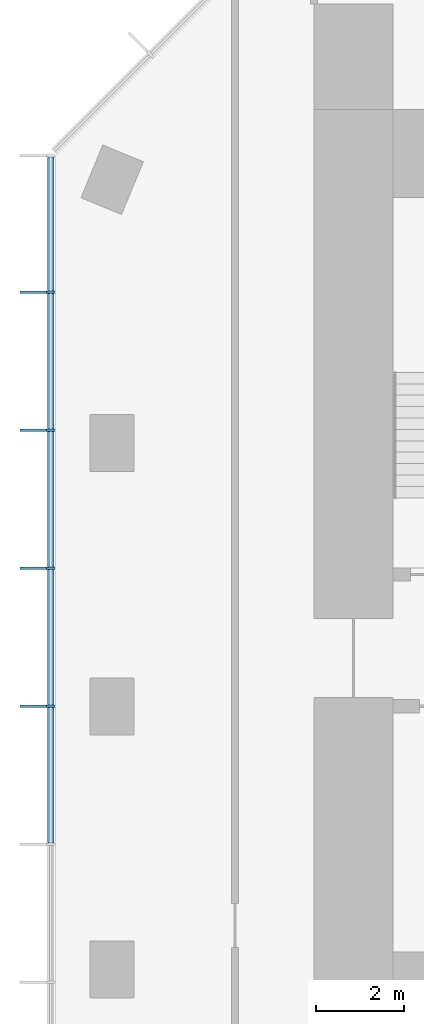
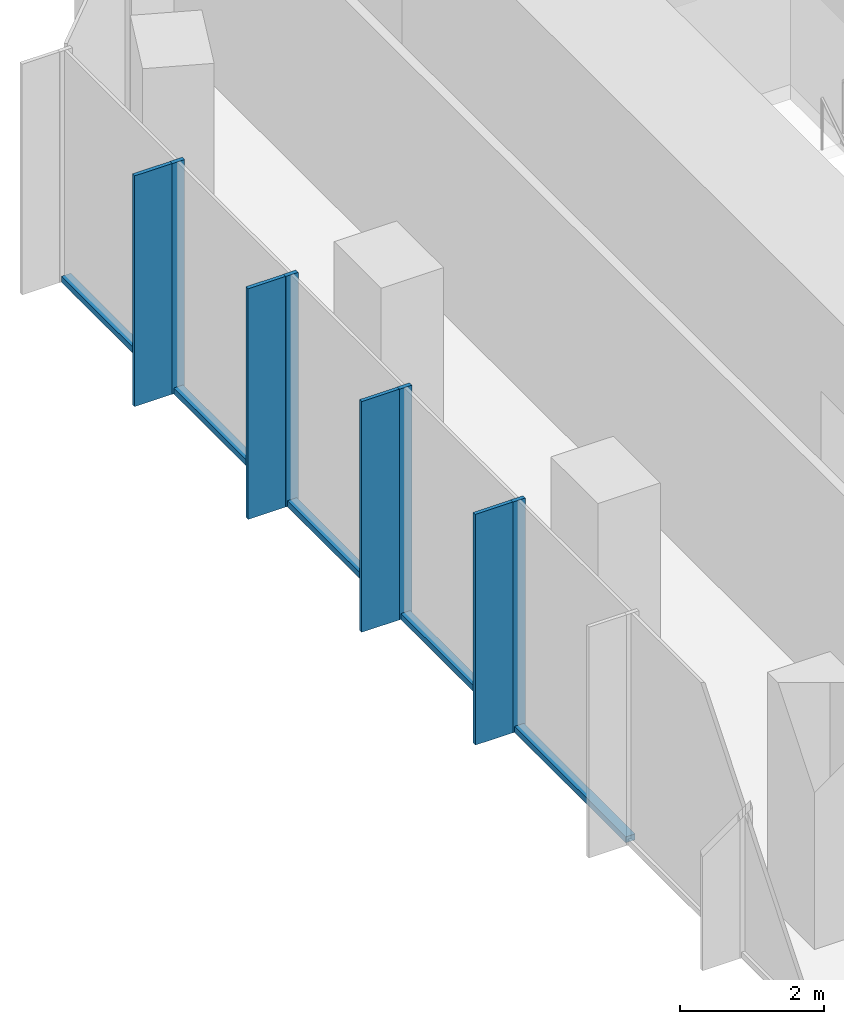
# One storey, part 3 of 11: 13 members, 1 element without a shape of its own.
"""IFC4 building model written with IfcOpenShell, lengths in metres."""

from ifc_helpers import new_model, si_unit, direction, frame, origin, origin_2d, place, context, subcontext, project, spatial, rectangle, extrude, material, layer, layer_set, material_profile, profile_set, type_object, element, aggregate, save


model = new_model("IFC4")

# Units and contexts
model_context = context("Model", 3, precision=1e-05, world=origin(), true_north=direction((0.0, 1.0)))
body_context = subcontext(model_context, "Body", "Model", "MODEL_VIEW")
ifc_project = project(units=[si_unit("LENGTHUNIT", "METRE"), si_unit("AREAUNIT", "SQUARE_METRE"), si_unit("VOLUMEUNIT", "CUBIC_METRE"), si_unit("PLANEANGLEUNIT", "RADIAN"), si_unit("MASSUNIT", "GRAM", prefix="KILO")], contexts=[model_context])

# Site, building, storey
site_placement = place(None, origin())
site = spatial("IfcSite", under=ifc_project, at=site_placement, CompositionType="ELEMENT")
building_placement = place(site_placement, origin())
building = spatial("IfcBuilding", under=site, at=building_placement, Name="Highveld Stack Headquarters", CompositionType="ELEMENT")
storey_placement = place(building_placement, frame((0.0, 0.0, 272.300048828125)))
storey = spatial("IfcBuildingStorey", under=building, at=storey_placement, Name="L67", CompositionType="ELEMENT", Elevation=272.300048828125)

# Curtain wall, members
ifc_material_1 = material(Name="Aluminium bronze anodised", Category="aluminium")
ifc_layer = layer(ifc_material_1, 0.199951171875)
ifc_layer_set = layer_set([ifc_layer], Name="Aluminium bronze anodised")
curtain_wall_type = type_object("IfcCurtainWallType", Name="CW5 EXECUTIVE UNITISED CURTAIN WALL", PredefinedType="NOTDEFINED", material=ifc_layer_set)
curtain_wall_placement = place(storey_placement, origin())
curtain_wall = element("IfcCurtainWall", 1, at=curtain_wall_placement, inside=storey, type_object=curtain_wall_type, Name="Curtain wall CW5 L67 W", PredefinedType="NOTDEFINED")
ifc_material_2 = material(Name="Aluminium bronze anodised", Category="aluminium")
ifc_material_profile_1 = material_profile(ifc_material_2, rectangle(XDim=0.60009765625, YDim=0.06005859375, at=origin_2d()), Name="FIN 600x60")
ifc_profile_set_1 = profile_set([ifc_material_profile_1], Name="Aluminium bronze anodised")
member_type_1 = type_object("IfcMemberType", Name="CW5 BRONZE FIN 600x60", PredefinedType="USERDEFINED", material=ifc_profile_set_1)
member_1_placement = place(storey_placement, frame((-13.800048828125, 9.434814453125, 0.0), z_axis=(0.0, 0.0, 1.0), x_axis=(1.0, 0.0, 0.0)))
member_1 = element("IfcMember", 2, at=member_1_placement, type_object=member_type_1, Name="CW5 fin L67 2", ObjectType="FIN", PredefinedType="USERDEFINED", context=body_context, shape_type="SweptSolid", body=[
    extrude(rectangle(XDim=0.60009765625, YDim=0.06005859375, at=origin_2d()), origin(), (0.0, 0.0, 1.0), 3.89990234375),
])
member_2_placement = place(storey_placement, frame((-13.800048828125, 6.2900390625, 0.0), z_axis=(0.0, 0.0, 1.0), x_axis=(1.0, 0.0, 0.0)))
member_2 = element("IfcMember", 3, at=member_2_placement, type_object=member_type_1, Name="CW5 fin L67 3", ObjectType="FIN", PredefinedType="USERDEFINED", context=body_context, shape_type="SweptSolid", body=[
    extrude(rectangle(XDim=0.60009765625, YDim=0.06005859375, at=origin_2d()), origin(), (0.0, 0.0, 1.0), 3.89990234375),
])
member_3_placement = place(storey_placement, frame((-13.800048828125, 3.14501953125, 0.0), z_axis=(0.0, 0.0, 1.0), x_axis=(1.0, 0.0, 0.0)))
member_3 = element("IfcMember", 4, at=member_3_placement, type_object=member_type_1, Name="CW5 fin L67 4", ObjectType="FIN", PredefinedType="USERDEFINED", context=body_context, shape_type="SweptSolid", body=[
    extrude(rectangle(XDim=0.60009765625, YDim=0.06005859375, at=origin_2d()), origin(), (0.0, 0.0, 1.0), 3.89990234375),
])
member_4_placement = place(storey_placement, frame((-13.800048828125, 0.0, 0.0), z_axis=(0.0, 0.0, 1.0), x_axis=(1.0, 0.0, 0.0)))
member_4 = element("IfcMember", 5, at=member_4_placement, type_object=member_type_1, Name="CW5 fin L67 5", ObjectType="FIN", PredefinedType="USERDEFINED", context=body_context, shape_type="SweptSolid", body=[
    extrude(rectangle(XDim=0.60009765625, YDim=0.06005859375, at=origin_2d()), origin(), (0.0, 0.0, 1.0), 3.89990234375),
])
ifc_material_3 = material(Name="Aluminium bronze anodised", Category="aluminium")
ifc_material_profile_2 = material_profile(ifc_material_3, rectangle(XDim=0.199951171875, YDim=0.06494140625, at=origin_2d()), Name="CW5 MULLION 65x200")
ifc_profile_set_2 = profile_set([ifc_material_profile_2], Name="Aluminium bronze anodised")
member_type_2 = type_object("IfcMemberType", Name="CW5 MULLION 65x200", PredefinedType="MULLION", material=ifc_profile_set_2)
member_5_placement = place(storey_placement, frame((-13.39990234375, 9.434814453125, 0.0), z_axis=(0.0, 0.0, 1.0), x_axis=(1.0, 0.0, 0.0)))
member_5 = element("IfcMember", 6, at=member_5_placement, type_object=member_type_2, Name="CW5 mullion L67 2", PredefinedType="MULLION", context=body_context, shape_type="SweptSolid", body=[
    extrude(rectangle(XDim=0.199951171875, YDim=0.06494140625, at=origin_2d()), origin(), (0.0, 0.0, 1.0), 3.89990234375),
])
member_6_placement = place(storey_placement, frame((-13.39990234375, 6.2900390625, 0.0), z_axis=(0.0, 0.0, 1.0), x_axis=(1.0, 0.0, 0.0)))
member_6 = element("IfcMember", 7, at=member_6_placement, type_object=member_type_2, Name="CW5 mullion L67 3", PredefinedType="MULLION", context=body_context, shape_type="SweptSolid", body=[
    extrude(rectangle(XDim=0.199951171875, YDim=0.06494140625, at=origin_2d()), origin(), (0.0, 0.0, 1.0), 3.89990234375),
])
member_7_placement = place(storey_placement, frame((-13.39990234375, 3.14501953125, 0.0), z_axis=(0.0, 0.0, 1.0), x_axis=(1.0, 0.0, 0.0)))
member_7 = element("IfcMember", 8, at=member_7_placement, type_object=member_type_2, Name="CW5 mullion L67 4", PredefinedType="MULLION", context=body_context, shape_type="SweptSolid", body=[
    extrude(rectangle(XDim=0.199951171875, YDim=0.06494140625, at=origin_2d()), origin(), (0.0, 0.0, 1.0), 3.89990234375),
])
member_8_placement = place(storey_placement, frame((-13.39990234375, 0.0, 0.0), z_axis=(0.0, 0.0, 1.0), x_axis=(1.0, 0.0, 0.0)))
member_8 = element("IfcMember", 9, at=member_8_placement, type_object=member_type_2, Name="CW5 mullion L67 5", PredefinedType="MULLION", context=body_context, shape_type="SweptSolid", body=[
    extrude(rectangle(XDim=0.199951171875, YDim=0.06494140625, at=origin_2d()), origin(), (0.0, 0.0, 1.0), 3.89990234375),
])
ifc_material_4 = material(Name="Aluminium bronze anodised", Category="aluminium")
ifc_material_profile_3 = material_profile(ifc_material_4, rectangle(XDim=0.14990234375, YDim=0.10009765625, at=origin_2d()), Name="CW5 TRANSOM 150x100")
ifc_profile_set_3 = profile_set([ifc_material_profile_3], Name="Aluminium bronze anodised")
member_type_3 = type_object("IfcMemberType", Name="CW5 STACK TRANSOM 150x100", PredefinedType="USERDEFINED", material=ifc_profile_set_3)
member_9_placement = place(storey_placement, frame((-13.39990234375, 12.514892578125, 0.050048828125), z_axis=(0.0, -1.0, 0.0), x_axis=(1.0, 0.0, 0.0)))
member_9 = element("IfcMember", 10, at=member_9_placement, type_object=member_type_3, Name="CW5 transom L67 1.1", ObjectType="TRANSOM", PredefinedType="USERDEFINED", context=body_context, shape_type="SweptSolid", body=[
    extrude(rectangle(XDim=0.14990234375, YDim=0.10009765625, at=origin_2d()), origin(), (0.0, 0.0, 1.0), 3.047607421875),
])
member_10_placement = place(storey_placement, frame((-13.39990234375, 9.40234375, 0.050048828125), z_axis=(0.0, -1.0, 0.0), x_axis=(1.0, 0.0, 0.0)))
member_10 = element("IfcMember", 11, at=member_10_placement, type_object=member_type_3, Name="CW5 transom L67 2.1", ObjectType="TRANSOM", PredefinedType="USERDEFINED", context=body_context, shape_type="SweptSolid", body=[
    extrude(rectangle(XDim=0.14990234375, YDim=0.10009765625, at=origin_2d()), origin(), (0.0, 0.0, 1.0), 3.079833984375),
])
member_11_placement = place(storey_placement, frame((-13.39990234375, 6.257568359375, 0.050048828125), z_axis=(0.0, -1.0, 0.0), x_axis=(1.0, 0.0, 0.0)))
member_11 = element("IfcMember", 12, at=member_11_placement, type_object=member_type_3, Name="CW5 transom L67 3.1", ObjectType="TRANSOM", PredefinedType="USERDEFINED", context=body_context, shape_type="SweptSolid", body=[
    extrude(rectangle(XDim=0.14990234375, YDim=0.10009765625, at=origin_2d()), origin(), (0.0, 0.0, 1.0), 3.080078125),
])
member_12_placement = place(storey_placement, frame((-13.39990234375, 3.112548828125, 0.050048828125), z_axis=(0.0, -1.0, 0.0), x_axis=(1.0, 0.0, 0.0)))
member_12 = element("IfcMember", 13, at=member_12_placement, type_object=member_type_3, Name="CW5 transom L67 4.1", ObjectType="TRANSOM", PredefinedType="USERDEFINED", context=body_context, shape_type="SweptSolid", body=[
    extrude(rectangle(XDim=0.14990234375, YDim=0.10009765625, at=origin_2d()), origin(), (0.0, 0.0, 1.0), 3.080078125),
])
member_13_placement = place(storey_placement, frame((-13.39990234375, -0.032470703125, 0.050048828125), z_axis=(0.0, -1.0, 0.0), x_axis=(1.0, 0.0, 0.0)))
member_13 = element("IfcMember", 14, at=member_13_placement, type_object=member_type_3, Name="CW5 transom L67 5.1", ObjectType="TRANSOM", PredefinedType="USERDEFINED", context=body_context, shape_type="SweptSolid", body=[
    extrude(rectangle(XDim=0.14990234375, YDim=0.10009765625, at=origin_2d()), origin(), (0.0, 0.0, 1.0), 3.080078125),
])
aggregate(curtain_wall, [member_5, member_1, member_6, member_2, member_7, member_3, member_8, member_4, member_9, member_10, member_11, member_12, member_13])

save(model, "model.ifc")
